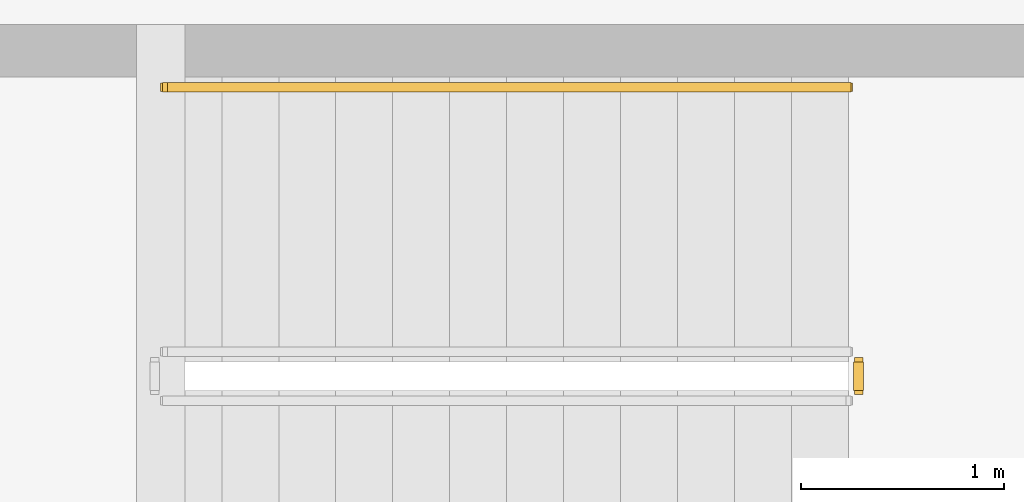
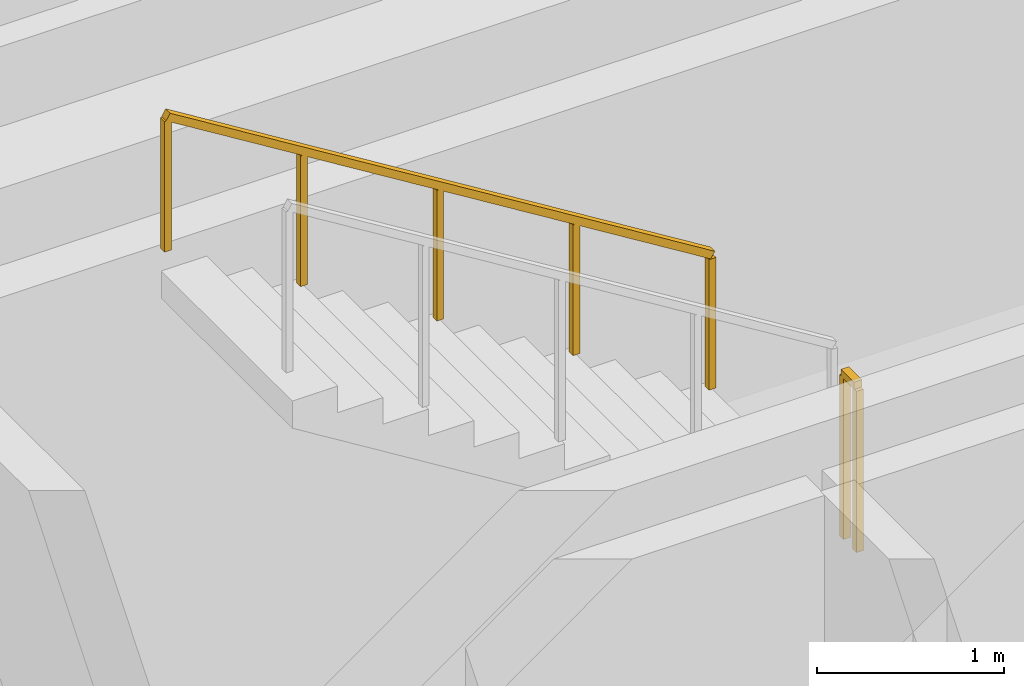
# One storey, part 14 of 14: 2 railings.
"""IFC4 building model written with IfcOpenShell, lengths in metres."""

from ifc_helpers import new_model, si_unit, direction, frame, origin, origin_2d, place, context, subcontext, project, spatial, rectangle, extrude, material, type_object, element, save


model = new_model("IFC4")

# Units and contexts
model_context = context("Model", 3, precision=1e-05, world=origin(), true_north=direction((0.0, 1.0)))
body_context = subcontext(model_context, "Body", "Model", "MODEL_VIEW")
ifc_project = project(units=[si_unit("LENGTHUNIT", "METRE"), si_unit("AREAUNIT", "SQUARE_METRE"), si_unit("VOLUMEUNIT", "CUBIC_METRE"), si_unit("PLANEANGLEUNIT", "RADIAN"), si_unit("MASSUNIT", "GRAM", prefix="KILO")], contexts=[model_context])

# Site, building, storey
site_placement = place(None, origin())
site = spatial("IfcSite", under=ifc_project, at=site_placement, CompositionType="ELEMENT")
building_placement = place(site_placement, origin())
building = spatial("IfcBuilding", under=site, at=building_placement, Name="Kiyonajd Concourse Tower", CompositionType="ELEMENT")
storey_placement = place(building_placement, frame((0.0, 0.0, 354.89990234375)))
storey = spatial("IfcBuildingStorey", under=building, at=storey_placement, Name="L89", CompositionType="ELEMENT", Elevation=354.89990234375)

# Railings
ifc_material_1 = material(Name="Steel ASTM A500 Grade C", Category="steel")
railing_type_1 = type_object("IfcRailingType", Name="RL-GRD-STR", PredefinedType="GUARDRAIL", material=ifc_material_1)
railing_1_placement = place(storey_placement, frame((59.889892578125, 41.47998046875, 2.25)))
element("IfcRailing", 1, at=railing_1_placement, inside=storey, type_object=railing_type_1, Name="L89 ST3 stair guard 2", PredefinedType="GUARDRAIL", context=body_context, shape_type="SweptSolid", body=[
    extrude(rectangle(XDim=0.048095703125, YDim=0.048095703125, at=origin_2d()), frame((0.0, 0.0, 1.076171875), z_axis=(0.0, 1.0, 0.0), x_axis=(-1.0, 0.0, 0.0)), (0.0, 0.0, 1.0), 0.14013671875),
    extrude(rectangle(XDim=0.0419921875, YDim=0.0419921875, at=origin_2d()), origin(), (0.0, 0.0, 1.0), 1.052001953125),
    extrude(rectangle(XDim=0.0419921875, YDim=0.0419921875, at=origin_2d()), frame((0.0, 0.14013671875, 0.0)), (0.0, 0.0, 1.0), 1.052001953125),
])
ifc_material_2 = material(Name="Brushed Stainless Steel Cab Assembly", Category="steel")
railing_type_2 = type_object("IfcRailingType", Name="RL-HND-900", PredefinedType="HANDRAIL", material=ifc_material_2)
railing_2_placement = place(storey_placement, frame((59.840087890625, 42.969970703125, 2.423095703125)))
element("IfcRailing", 2, at=railing_2_placement, inside=storey, type_object=railing_type_2, Name="L89 ST3 stair handrail 2", PredefinedType="HANDRAIL", context=body_context, shape_type="SweptSolid", body=[
    extrude(rectangle(XDim=0.048095703125, YDim=0.048095703125, at=origin_2d()), frame((0.0, 0.0, 0.8759765625), z_axis=(-0.850623216509, 0.0, 0.525775754039), x_axis=(0.0, -1.0, 0.0)), (0.0, 0.0, 1.0), 3.9501953125),
    extrude(rectangle(XDim=0.0419921875, YDim=0.0419921875, at=origin_2d()), origin(), (0.0, 0.0, 1.0), 0.851806640625),
    extrude(rectangle(XDim=0.0419921875, YDim=0.0419921875, at=origin_2d()), frame((-0.840087890625, 0.0, 0.519287109375)), (0.0, 0.0, 1.0), 0.851806640625),
    extrude(rectangle(XDim=0.0419921875, YDim=0.0419921875, at=origin_2d()), frame((-1.68017578125, 0.0, 1.03857421875)), (0.0, 0.0, 1.0), 0.851806640625),
    extrude(rectangle(XDim=0.0419921875, YDim=0.0419921875, at=origin_2d()), frame((-2.52001953125, 0.0, 1.5576171875)), (0.0, 0.0, 1.0), 0.851806640625),
    extrude(rectangle(XDim=0.0419921875, YDim=0.0419921875, at=origin_2d()), frame((-3.360107421875, 0.0, 2.076904296875)), (0.0, 0.0, 1.0), 0.851806640625),
])

save(model, "model.ifc")
